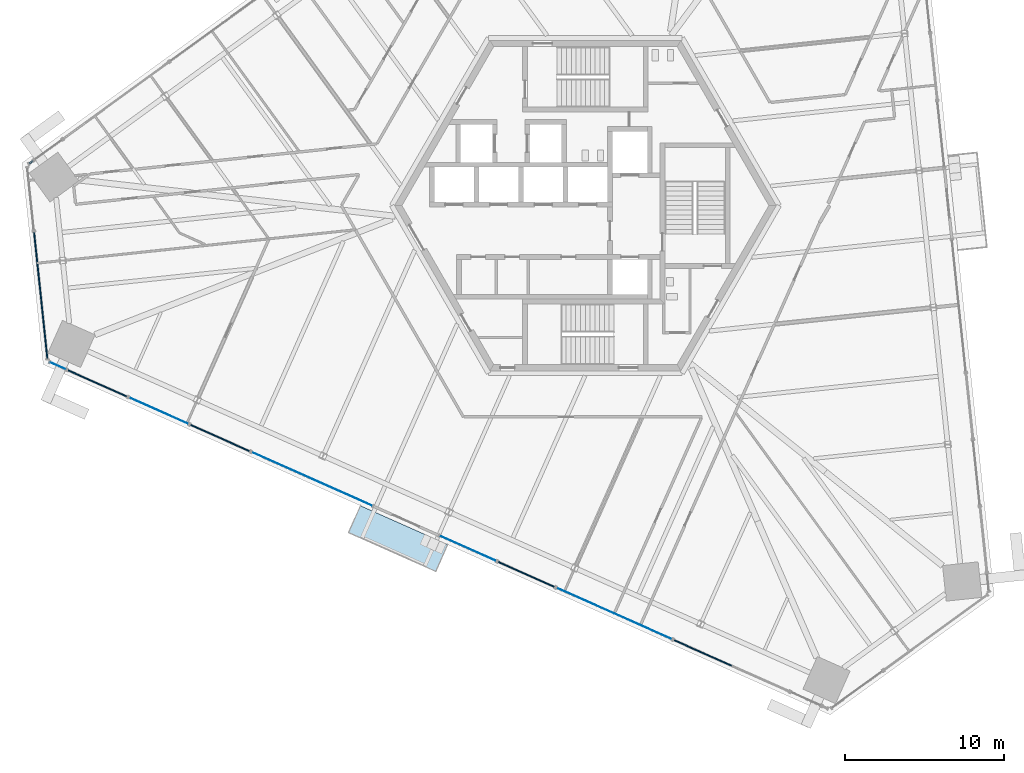
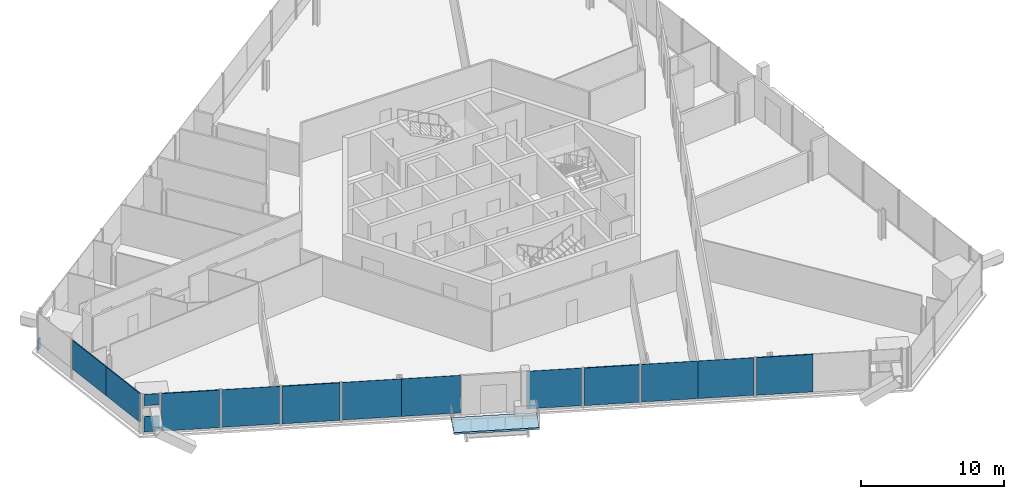
# One storey, part 12 of 25: 14 plates, 1 member, 1 slab, 12 elements without a shape of their own.
"""IFC4 building model written with IfcOpenShell, lengths in metres."""

from ifc_helpers import new_model, si_unit, direction, frame, origin, origin_2d, place, context, subcontext, project, spatial, polyline, rectangle, outline, extrude, source, transform, mapped, material, layer, layer_set, material_profile, profile_set, type_object, element, aggregate, save


model = new_model("IFC4")

# Units and contexts
model_context = context("Model", 3, precision=1e-05, world=origin(), true_north=direction((0.0, 1.0)))
body_context = subcontext(model_context, "Body", "Model", "MODEL_VIEW")
ifc_project = project(units=[si_unit("LENGTHUNIT", "METRE"), si_unit("AREAUNIT", "SQUARE_METRE"), si_unit("VOLUMEUNIT", "CUBIC_METRE"), si_unit("PLANEANGLEUNIT", "RADIAN"), si_unit("MASSUNIT", "GRAM", prefix="KILO")], contexts=[model_context])

# Site, building, storey
site_placement = place(None, origin())
site = spatial("IfcSite", under=ifc_project, at=site_placement, CompositionType="ELEMENT")
building_placement = place(site_placement, origin())
building = spatial("IfcBuilding", under=site, at=building_placement, Name="Triune Harvest Tower", CompositionType="ELEMENT")
storey_placement = place(building_placement, frame((0.0, 0.0, 90.89990234375)))
storey = spatial("IfcBuildingStorey", under=building, at=storey_placement, Name="L22", CompositionType="ELEMENT", Elevation=90.89990234375)

# Curtain wall, member
ifc_material_1 = material(Name="Aluminium bronze anodised", Category="aluminium")
curtain_wall_type_1 = type_object("IfcCurtainWallType", Name="CW-1 Tower stick curtain wall", PredefinedType="NOTDEFINED", material=ifc_material_1)
curtain_wall_1_placement = place(storey_placement, origin())
curtain_wall_1 = element("IfcCurtainWall", 1, at=curtain_wall_1_placement, inside=storey, type_object=curtain_wall_type_1, Name="CW-1 B2-F3 L22 run 501")
ifc_material_2 = material(Name="Aluminium bronze anodised", Category="aluminium")
ifc_material_profile = material_profile(ifc_material_2, rectangle(XDim=0.090087890625, YDim=0.89990234375, at=origin_2d()), Name="TR-1 transom 90 x 900")
ifc_profile_set = profile_set([ifc_material_profile], Name="Aluminium bronze anodised")
member_type = type_object("IfcMemberType", Name="TR-1 transom 90 x 900", PredefinedType="USERDEFINED", material=ifc_profile_set)
shared_shape_1 = source(origin(), body_context, "Body", "SweptSolid", [
    extrude(rectangle(XDim=0.090087890625, YDim=0.89990234375, at=origin_2d()), origin(), (0.0, 0.0, 1.0), 0.3017578125),
])
member_placement = place(storey_placement, frame((-34.7373046875, 2.81787109375, 0.4501953125), z_axis=(-0.809225713381, -0.587497867914, 0.0), x_axis=(0.587497867914, -0.809225713381, 0.0)))
member = element("IfcMember", 2, at=member_placement, type_object=member_type, Name="CW-1 transom B2-F3 501.1", ObjectType="TRANSOM", PredefinedType="USERDEFINED", context=body_context, shape_type="MappedRepresentation", body=[
    mapped(shared_shape_1, transform((0.0, 0.0, 0.0), scale=1.0)),
])
aggregate(curtain_wall_1, [member])

# Curtain wall, plate
ifc_material_3 = material(Name="Aluminium bronze anodised", Category="aluminium")
curtain_wall_type_2 = type_object("IfcCurtainWallType", Name="CW-6 Balcony window wall", PredefinedType="NOTDEFINED", material=ifc_material_3)
curtain_wall_2_placement = place(storey_placement, origin())
curtain_wall_2 = element("IfcCurtainWall", 3, at=curtain_wall_2_placement, inside=storey, type_object=curtain_wall_type_2, Name="CW-6 B2-F5 L22 run 2")
ifc_material_4 = material(Name="Glass", Category="glass")
ifc_layer_1 = layer(ifc_material_4, 0.030029296875)
ifc_layer_set_1 = layer_set([ifc_layer_1], Name="Glass")
plate_type_1 = type_object("IfcPlateType", Name="GL-6 panel 30", PredefinedType="CURTAIN_PANEL", material=ifc_layer_set_1)
plate_1_placement = place(storey_placement, frame((-7.391357421875, -21.554931640625, 0.14990234375), z_axis=(0.0, 0.0, 1.0), x_axis=(0.913546324813, -0.406734695374, 0.0)))
plate_1 = element("IfcPlate", 4, at=plate_1_placement, type_object=plate_type_1, Name="CW-6 panel B2-F5 2.1", PredefinedType="CURTAIN_PANEL", context=body_context, shape_type="SweptSolid", body=[
    extrude(rectangle(XDim=3.8798828125, YDim=0.030029296875, at=origin_2d()), origin(), (0.0, 0.0, 1.0), 3.199951171875),
])
aggregate(curtain_wall_2, [plate_1])

ifc_material_5 = material(Name="Aluminium bronze anodised", Category="aluminium")
curtain_wall_type_3 = type_object("IfcCurtainWallType", Name="CW-10 Balcony window wall with insulated spandrel infill", PredefinedType="NOTDEFINED", material=ifc_material_5)
curtain_wall_3_placement = place(storey_placement, origin())
curtain_wall_3 = element("IfcCurtainWall", 5, at=curtain_wall_3_placement, inside=storey, type_object=curtain_wall_type_3, Name="CW-10 B2-F5 L22 run 1002")
ifc_material_6 = material(Name="Insulated spandrel panel, bronze aluminium pan", Category="aluminium")
ifc_layer_2 = layer(ifc_material_6, 0.080078125)
ifc_layer_set_2 = layer_set([ifc_layer_2], Name="Insulated spandrel panel, bronze aluminium pan")
plate_type_2 = type_object("IfcPlateType", Name="SP-1 insulated spandrel panel 80", PredefinedType="CURTAIN_PANEL", material=ifc_layer_set_2)
plate_2_placement = place(storey_placement, frame((-3.709716796875, -23.194091796875, 0.14990234375), z_axis=(0.0, 0.0, 1.0), x_axis=(0.913546324813, -0.406734695374, 0.0)))
plate_2 = element("IfcPlate", 6, at=plate_2_placement, type_object=plate_type_2, Name="CW-10 panel B2-F5 1002.1", PredefinedType="CURTAIN_PANEL", context=body_context, shape_type="SweptSolid", body=[
    extrude(rectangle(XDim=3.8798828125, YDim=0.080078125, at=origin_2d()), origin(), (0.0, 0.0, 1.0), 3.199951171875),
])
aggregate(curtain_wall_3, [plate_2])

# Slab
ifc_material_7 = material(Name="Concrete 40 MPa", Category="concrete")
ifc_layer_3 = layer(ifc_material_7, 0.159912109375)
ifc_layer_set_3 = layer_set([ifc_layer_3], Name="Concrete 40 MPa")
slab_type = type_object("IfcSlabType", Name="BA-1 balcony slab 160", PredefinedType="FLOOR", material=ifc_layer_set_3)
shared_shape_2 = source(origin(), body_context, "Body", "SweptSolid", [
    extrude(outline(polyline([(-14.1435546875, -18.877197265625), (-8.662109375, -21.317626953125), (-9.41259765625, -23.002685546875), (-14.893798828125, -20.562255859375), (-14.1435546875, -18.877197265625)])), origin(), (0.0, 0.0, 1.0), 0.159912109375),
])
slab_placement = place(storey_placement, frame((0.0, 0.0, -0.159912109375)))
element("IfcSlab", 7, at=slab_placement, inside=storey, type_object=slab_type, Name="Balcony slab B2-F5 L22.6", PredefinedType="FLOOR", context=body_context, shape_type="MappedRepresentation", body=[
    mapped(shared_shape_2, transform((0.0, 0.0, 0.0), scale=1.0)),
])

# Curtain wall, plate
curtain_wall_4_placement = place(storey_placement, origin())
curtain_wall_4 = element("IfcCurtainWall", 8, at=curtain_wall_4_placement, inside=storey, type_object=curtain_wall_type_2, Name="CW-6 B2-F5 L22 run 1")
shared_shape_3 = source(origin(), body_context, "Body", "SweptSolid", [
    extrude(rectangle(XDim=1.07177734375, YDim=0.030029296875, at=origin_2d()), origin(), (0.0, 0.0, 1.0), 1.31494140625),
])
plate_3_placement = place(storey_placement, frame((-33.178466796875, -10.07373046875, 0.150146484375), z_axis=(0.0, 0.0, 1.0), x_axis=(0.913551459949, -0.406723161408, 0.0)))
plate_3 = element("IfcPlate", 9, at=plate_3_placement, type_object=plate_type_1, Name="CW-6 panel B2-F5 1.1", PredefinedType="CURTAIN_PANEL", context=body_context, shape_type="MappedRepresentation", body=[
    mapped(shared_shape_3, transform((0.0, 0.0, 0.0), scale=1.0)),
])
aggregate(curtain_wall_4, [plate_3])

curtain_wall_5_placement = place(storey_placement, origin())
curtain_wall_5 = element("IfcCurtainWall", 10, at=curtain_wall_5_placement, inside=storey, type_object=curtain_wall_type_2, Name="CW-6 B2-F5 L22 run 101")
shared_shape_4 = source(origin(), body_context, "Body", "SweptSolid", [
    extrude(rectangle(XDim=1.07177734375, YDim=0.030029296875, at=origin_2d()), origin(), (0.0, 0.0, 1.0), 0.965087890625),
])
plate_4_placement = place(storey_placement, frame((-33.178466796875, -10.07373046875, 2.38525390625), z_axis=(0.0, 0.0, 1.0), x_axis=(0.913551459949, -0.406723161408, 0.0)))
plate_4 = element("IfcPlate", 11, at=plate_4_placement, type_object=plate_type_1, Name="CW-6 panel B2-F5 101.1", PredefinedType="CURTAIN_PANEL", context=body_context, shape_type="MappedRepresentation", body=[
    mapped(shared_shape_4, transform((0.0, 0.0, 0.0), scale=1.0)),
])
aggregate(curtain_wall_5, [plate_4])

curtain_wall_6_placement = place(storey_placement, origin())
curtain_wall_6 = element("IfcCurtainWall", 12, at=curtain_wall_6_placement, inside=storey, type_object=curtain_wall_type_3, Name="CW-10 B2-F5 L22 run 201")
shared_shape_5 = source(origin(), body_context, "Body", "SweptSolid", [
    extrude(rectangle(XDim=4.0732421875, YDim=0.080078125, at=origin_2d()), origin(), (0.0, 0.0, 1.0), 3.199951171875),
])
plate_5_placement = place(storey_placement, frame((-30.691162109375, -11.18115234375, 0.14990234375), z_axis=(0.0, 0.0, 1.0), x_axis=(0.913539896234, -0.406749133974, 0.0)))
plate_5 = element("IfcPlate", 13, at=plate_5_placement, type_object=plate_type_2, Name="CW-10 panel B2-F5 201.1", PredefinedType="CURTAIN_PANEL", context=body_context, shape_type="MappedRepresentation", body=[
    mapped(shared_shape_5, transform((0.0, 0.0, 0.0), scale=1.0)),
])
aggregate(curtain_wall_6, [plate_5])

curtain_wall_7_placement = place(storey_placement, origin())
curtain_wall_7 = element("IfcCurtainWall", 14, at=curtain_wall_7_placement, inside=storey, type_object=curtain_wall_type_3, Name="CW-10 B2-F5 L22 run 2201")
plate_6_placement = place(storey_placement, frame((-22.97509765625, -14.61669921875, 0.14990234375), z_axis=(0.0, 0.0, 1.0), x_axis=(0.913543813595, -0.406740335646, 0.0)))
plate_6 = element("IfcPlate", 15, at=plate_6_placement, type_object=plate_type_2, Name="CW-10 panel B2-F5 2201.1", PredefinedType="CURTAIN_PANEL", context=body_context, shape_type="MappedRepresentation", body=[
    mapped(shared_shape_5, transform((0.0, 0.0, 0.0), scale=1.0)),
])
aggregate(curtain_wall_7, [plate_6])

curtain_wall_8_placement = place(storey_placement, origin())
curtain_wall_8 = element("IfcCurtainWall", 16, at=curtain_wall_8_placement, inside=storey, type_object=curtain_wall_type_2, Name="CW-6 B2-F5 L22 run 1201")
shared_shape_6 = source(origin(), body_context, "Body", "SweptSolid", [
    extrude(rectangle(XDim=4.0732421875, YDim=0.030029296875, at=origin_2d()), origin(), (0.0, 0.0, 1.0), 3.199951171875),
])
plate_7_placement = place(storey_placement, frame((-26.833251953125, -12.89892578125, 0.14990234375), z_axis=(0.0, 0.0, 1.0), x_axis=(0.913548694603, -0.406729372667, 0.0)))
plate_7 = element("IfcPlate", 17, at=plate_7_placement, type_object=plate_type_1, Name="CW-6 panel B2-F5 1201.1", PredefinedType="CURTAIN_PANEL", context=body_context, shape_type="MappedRepresentation", body=[
    mapped(shared_shape_6, transform((0.0, 0.0, 0.0), scale=1.0)),
])
aggregate(curtain_wall_8, [plate_7])

# Curtain wall, plates
curtain_wall_9_placement = place(storey_placement, origin())
curtain_wall_9 = element("IfcCurtainWall", 18, at=curtain_wall_9_placement, inside=storey, type_object=curtain_wall_type_2, Name="CW-6 B2-F5 L22 run 3201")
shared_shape_7 = source(origin(), body_context, "Body", "SweptSolid", [
    extrude(rectangle(XDim=4.148193359375, YDim=0.030029296875, at=origin_2d()), origin(), (0.0, 0.0, 1.0), 3.199951171875),
])
plate_8_placement = place(storey_placement, frame((-19.08251953125, -16.349609375, 0.14990234375), z_axis=(0.0, 0.0, 1.0), x_axis=(0.913544295451, -0.406739253392, 0.0)))
plate_8 = element("IfcPlate", 19, at=plate_8_placement, type_object=plate_type_1, Name="CW-6 panel B2-F5 3201.1", PredefinedType="CURTAIN_PANEL", context=body_context, shape_type="MappedRepresentation", body=[
    mapped(shared_shape_7, transform((0.0, 0.0, 0.0), scale=1.0)),
])
plate_9_placement = place(storey_placement, frame((-15.29296875, -18.036865234375, 0.14990234375), z_axis=(0.0, 0.0, 1.0), x_axis=(0.913544295451, -0.406739253392, 0.0)))
plate_9 = element("IfcPlate", 20, at=plate_9_placement, type_object=plate_type_1, Name="CW-6 panel B2-F5 3201.2", PredefinedType="CURTAIN_PANEL", context=body_context, shape_type="MappedRepresentation", body=[
    mapped(shared_shape_7, transform((0.0, 0.0, 0.0), scale=1.0)),
])
aggregate(curtain_wall_9, [plate_8, plate_9])

ifc_material_8 = material(Name="Aluminium bronze anodised", Category="aluminium")
curtain_wall_type_4 = type_object("IfcCurtainWallType", Name="CW-7 Tower stick curtain wall with insulated spandrel infill", PredefinedType="NOTDEFINED", material=ifc_material_8)
curtain_wall_10_placement = place(storey_placement, origin())
curtain_wall_10 = element("IfcCurtainWall", 21, at=curtain_wall_10_placement, inside=storey, type_object=curtain_wall_type_4, Name="CW-7 B2-F4 L22 run 1001")
shared_shape_8 = source(origin(), body_context, "Body", "SweptSolid", [
    extrude(rectangle(XDim=3.99853515625, YDim=0.080078125, at=origin_2d()), origin(), (0.0, 0.0, 1.0), 2.449951171875),
])
plate_10_placement = place(storey_placement, frame((-34.462890625, -3.659912109375, 0.89990234375), z_axis=(0.0, 0.0, 1.0), x_axis=(0.1045293173, -0.994521805605, 0.0)))
plate_10 = element("IfcPlate", 22, at=plate_10_placement, type_object=plate_type_2, Name="CW-7 panel B2-F4 1001.1", PredefinedType="CURTAIN_PANEL", context=body_context, shape_type="MappedRepresentation", body=[
    mapped(shared_shape_8, transform((0.0, 0.0, 0.0), scale=1.0)),
])
plate_11_placement = place(storey_placement, frame((-34.044921875, -7.636474609375, 0.89990234375), z_axis=(0.0, 0.0, 1.0), x_axis=(0.1045293173, -0.994521805605, 0.0)))
plate_11 = element("IfcPlate", 23, at=plate_11_placement, type_object=plate_type_2, Name="CW-7 panel B2-F4 1001.2", PredefinedType="CURTAIN_PANEL", context=body_context, shape_type="MappedRepresentation", body=[
    mapped(shared_shape_8, transform((0.0, 0.0, 0.0), scale=1.0)),
])
aggregate(curtain_wall_10, [plate_10, plate_11])

curtain_wall_11_placement = place(storey_placement, origin())
curtain_wall_11 = element("IfcCurtainWall", 24, at=curtain_wall_11_placement, inside=storey, type_object=curtain_wall_type_2, Name="CW-6 B2-F5 L22 run 2002")
shared_shape_9 = source(origin(), body_context, "Body", "SweptSolid", [
    extrude(rectangle(XDim=3.954833984375, YDim=0.030029296875, at=origin_2d()), origin(), (0.0, 0.0, 1.0), 3.199951171875),
])
plate_12_placement = place(storey_placement, frame((0.006103515625, -24.848388671875, 0.14990234375), z_axis=(0.0, 0.0, 1.0), x_axis=(0.913544272209, -0.406739305594, 0.0)))
plate_12 = element("IfcPlate", 25, at=plate_12_placement, type_object=plate_type_1, Name="CW-6 panel B2-F5 2002.1", PredefinedType="CURTAIN_PANEL", context=body_context, shape_type="MappedRepresentation", body=[
    mapped(shared_shape_9, transform((0.0, 0.0, 0.0), scale=1.0)),
])
plate_13_placement = place(storey_placement, frame((3.618896484375, -26.45703125, 0.14990234375), z_axis=(0.0, 0.0, 1.0), x_axis=(0.913544272209, -0.406739305594, 0.0)))
plate_13 = element("IfcPlate", 26, at=plate_13_placement, type_object=plate_type_1, Name="CW-6 panel B2-F5 2002.2", PredefinedType="CURTAIN_PANEL", context=body_context, shape_type="MappedRepresentation", body=[
    mapped(shared_shape_9, transform((0.0, 0.0, 0.0), scale=1.0)),
])
aggregate(curtain_wall_11, [plate_12, plate_13])

# Curtain wall, plate
curtain_wall_12_placement = place(storey_placement, origin())
curtain_wall_12 = element("IfcCurtainWall", 27, at=curtain_wall_12_placement, inside=storey, type_object=curtain_wall_type_3, Name="CW-10 B2-F5 L22 run 3002")
shared_shape_10 = source(origin(), body_context, "Body", "SweptSolid", [
    extrude(rectangle(XDim=3.954833984375, YDim=0.080078125, at=origin_2d()), origin(), (0.0, 0.0, 1.0), 3.199951171875),
])
plate_14_placement = place(storey_placement, frame((7.368896484375, -28.126708984375, 0.14990234375), z_axis=(0.0, 0.0, 1.0), x_axis=(0.913546324813, -0.406734695374, 0.0)))
plate_14 = element("IfcPlate", 28, at=plate_14_placement, type_object=plate_type_2, Name="CW-10 panel B2-F5 3002.1", PredefinedType="CURTAIN_PANEL", context=body_context, shape_type="MappedRepresentation", body=[
    mapped(shared_shape_10, transform((0.0, 0.0, 0.0), scale=1.0)),
])
aggregate(curtain_wall_12, [plate_14])

save(model, "model.ifc")
